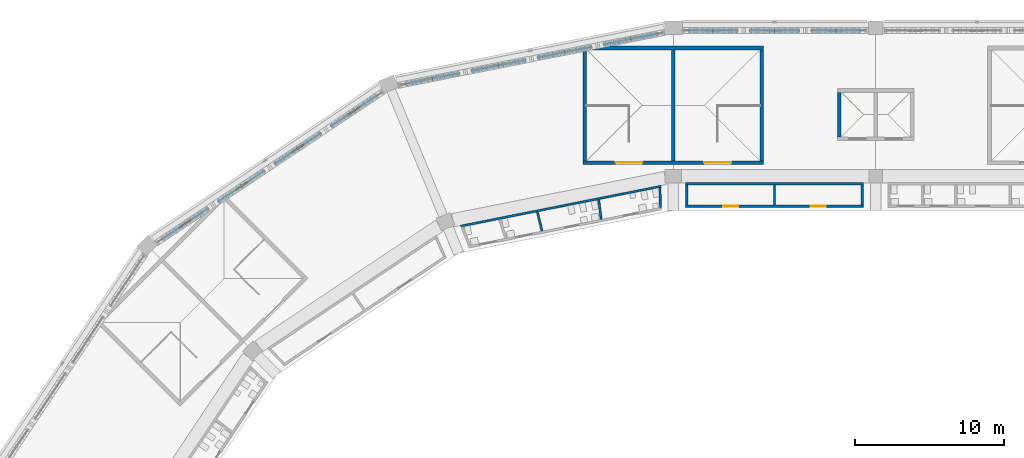
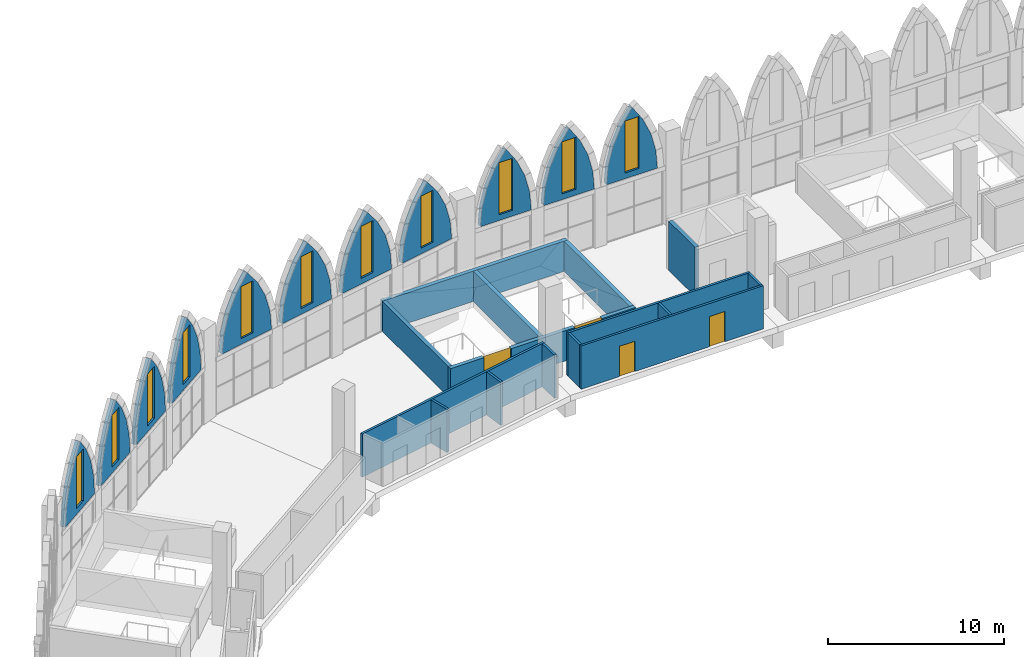
# One storey, part 81 of 130: 26 walls, 11 windows, 4 doors, 15 openings.
"""IFC4 building model written with IfcOpenShell, lengths in metres."""

from ifc_helpers import new_model, si_unit, direction, frame, frame_2d, origin, place, context, subcontext, project, spatial, polyline, rectangle, outline, extrude, material, layer, layer_set, type_object, element, fill, save


model = new_model("IFC4")

# Units and contexts
model_context = context("Model", 3, precision=1e-05, world=origin(), true_north=direction((0.0, 1.0)))
body_context = subcontext(model_context, "Body", "Model", "MODEL_VIEW")
ifc_project = project(units=[si_unit("LENGTHUNIT", "METRE"), si_unit("AREAUNIT", "SQUARE_METRE"), si_unit("VOLUMEUNIT", "CUBIC_METRE"), si_unit("PLANEANGLEUNIT", "RADIAN"), si_unit("MASSUNIT", "GRAM", prefix="KILO")], contexts=[model_context])

# Site, building, storey
site_placement = place(None, origin())
site = spatial("IfcSite", under=ifc_project, at=site_placement, CompositionType="ELEMENT")
building_placement = place(site_placement, origin())
building = spatial("IfcBuilding", under=site, at=building_placement, Name="Ogive Plaza Stadium", CompositionType="ELEMENT")
storey_placement = place(building_placement, frame((0.0, 0.0, 22.5)))
storey = spatial("IfcBuildingStorey", under=building, at=storey_placement, Name="L05", CompositionType="ELEMENT", Elevation=22.5)

# Wall, openings, doors
ifc_material_1 = material(Name="Masonry blockwork", Category="masonry")
ifc_layer_1 = layer(ifc_material_1, 0.14990234375)
ifc_layer_set_1 = layer_set([ifc_layer_1], Name="Blockwork wall 150")
wall_type_1 = type_object("IfcWallType", Name="Blockwork wall 150", PredefinedType="SOLIDWALL", material=ifc_layer_set_1)
wall_1_placement = place(storey_placement, frame((-33.175048828125, 90.5, 0.0), z_axis=(0.0, 0.0, 1.0), x_axis=(1.0, 0.0, 0.0)))
wall_1 = element("IfcWall", 1, at=wall_1_placement, inside=storey, type_object=wall_type_1, Name="Wall L05 B32", PredefinedType="SOLIDWALL", context=body_context, shape_type="SweptSolid", body=[
    extrude(rectangle(XDim=11.949951171875, YDim=0.14990234375, at=frame_2d((5.97509765625, 0.0))), origin(), (0.0, 0.0, 1.0), 3.0),
])
opening_1_placement = place(wall_1_placement, frame((2.52490234375, 0.0, 0.0)))
opening_1 = element("IfcOpeningElement", 2, at=opening_1_placement, cuts=wall_1, Name="Opening D1011", PredefinedType="OPENING", context=body_context, shape_type="SweptSolid", body=[
    extrude(rectangle(XDim=1.0, YDim=2.10009765625, at=frame_2d((0.5, 1.050048828125))), frame((0.0, 0.074951171875, 0.0), z_axis=(0.0, -1.0, 0.0), x_axis=(1.0, 0.0, 0.0)), (0.0, 0.0, 1.0), 0.14990234375),
])
opening_2_placement = place(wall_1_placement, frame((8.425048828125, 0.0, 0.0)))
opening_2 = element("IfcOpeningElement", 3, at=opening_2_placement, cuts=wall_1, Name="Opening D1012", PredefinedType="OPENING", context=body_context, shape_type="SweptSolid", body=[
    extrude(rectangle(XDim=1.0, YDim=2.10009765625, at=frame_2d((0.5, 1.050048828125))), frame((0.0, 0.074951171875, 0.0), z_axis=(0.0, -1.0, 0.0), x_axis=(1.0, 0.0, 0.0)), (0.0, 0.0, 1.0), 0.14990234375),
])
ifc_material_2 = material(Name="Steel ASTM A572 Grade 50", Category="steel")
door_type_1 = type_object("IfcDoorType", Name="Door 1000 x 2100", OperationType="SINGLE_SWING_LEFT", PredefinedType="DOOR", material=ifc_material_2)
door_1_placement = place(opening_1_placement, origin())
door_1 = element("IfcDoor", 4, at=door_1_placement, inside=storey, type_object=door_type_1, Name="Concession Stand B32 door", OperationType="SINGLE_SWING_LEFT", OverallHeight=2.10009765625, OverallWidth=1.0, PredefinedType="DOOR", context=body_context, shape_type="SweptSolid", body=[
    extrude(rectangle(XDim=1.0, YDim=2.10009765625, at=frame_2d((0.5, 1.050048828125))), frame((0.0, 0.02490234375, 0.0), z_axis=(0.0, -1.0, 0.0), x_axis=(1.0, 0.0, 0.0)), (0.0, 0.0, 1.0), 0.050048828125),
])
fill(opening_1, door_1)
door_2_placement = place(opening_2_placement, origin())
door_2 = element("IfcDoor", 5, at=door_2_placement, inside=storey, type_object=door_type_1, Name="Concession Stand B32 door", OperationType="SINGLE_SWING_RIGHT", OverallHeight=2.10009765625, OverallWidth=1.0, PredefinedType="DOOR", context=body_context, shape_type="SweptSolid", body=[
    extrude(rectangle(XDim=1.0, YDim=2.10009765625, at=frame_2d((0.5, 1.050048828125))), frame((0.0, 0.02490234375, 0.0), z_axis=(0.0, -1.0, 0.0), x_axis=(1.0, 0.0, 0.0)), (0.0, 0.0, 1.0), 0.050048828125),
])
fill(opening_2, door_2)

# Walls
wall_2_placement = place(storey_placement, frame((-33.175048828125, 92.0, 0.0), z_axis=(0.0, 0.0, 1.0), x_axis=(1.0, 0.0, 0.0)))
element("IfcWall", 6, at=wall_2_placement, inside=storey, type_object=wall_type_1, Name="Wall L05 B32", PredefinedType="SOLIDWALL", context=body_context, shape_type="SweptSolid", body=[
    extrude(rectangle(XDim=11.949951171875, YDim=0.14990234375, at=frame_2d((5.97509765625, 0.0))), origin(), (0.0, 0.0, 1.0), 3.0),
])
for number, where, z_axis, x_axis, name in (
    (7, (-33.10009765625, 90.574951171875, 0.0), (0.0, 0.0, 1.0), (0.0, 1.0, 0.0), "Wall L05 B32"),
    (8, (-27.199951171875, 90.574951171875, 0.0), (0.0, 0.0, 1.0), (0.0, 1.0, 0.0), "Wall L05 B32"),
    (9, (-21.300048828125, 90.574951171875, 0.0), (0.0, 0.0, 1.0), (0.0, 1.0, 0.0), "Wall L05 B32"),
):
    element("IfcWall", number, at=place(storey_placement, frame(where, z_axis=z_axis, x_axis=x_axis)), inside=storey, type_object=wall_type_1, Name=name, PredefinedType="SOLIDWALL", context=body_context, shape_type="SweptSolid", body=[
        extrude(rectangle(XDim=1.35009765625, YDim=0.14990234375, at=frame_2d((0.675048828125, 0.0))), origin(), (0.0, 0.0, 1.0), 3.0),
    ])

# Wall, openings, doors
ifc_material_3 = material(Name="Concrete C40/50", Category="concrete")
ifc_layer_2 = layer(ifc_material_3, 0.25)
ifc_layer_set_2 = layer_set([ifc_layer_2], Name="Concrete C40/50")
wall_type_2 = type_object("IfcWallType", Name="Core wall 250", PredefinedType="SHEAR", material=ifc_layer_set_2)
wall_3_placement = place(storey_placement, frame((-27.925048828125, 93.425048828125, 0.0), z_axis=(0.0, 0.0, 1.0), x_axis=(-1.0, 0.0, 0.0)))
wall_3 = element("IfcWall", 10, at=wall_3_placement, inside=storey, type_object=wall_type_2, Name="Stair core R32 inner wall", PredefinedType="SHEAR", context=body_context, shape_type="SweptSolid", body=[
    extrude(rectangle(XDim=12.14990234375, YDim=0.25, at=frame_2d((6.074951171875, 0.0))), origin(), (0.0, 0.0, 1.0), 2.10009765625),
])
opening_3_placement = place(wall_3_placement, frame((2.199951171875, 0.0, 0.0)))
opening_3 = element("IfcOpeningElement", 11, at=opening_3_placement, cuts=wall_3, Name="Opening D0245", PredefinedType="OPENING", context=body_context, shape_type="SweptSolid", body=[
    extrude(rectangle(XDim=1.800048828125, YDim=2.10009765625, at=frame_2d((0.89990234375, 1.050048828125))), frame((0.0, 0.125, 0.0), z_axis=(0.0, -1.0, 0.0), x_axis=(1.0, 0.0, 0.0)), (0.0, 0.0, 1.0), 0.25),
])
opening_4_placement = place(wall_3_placement, frame((8.14990234375, 0.0, 0.0)))
opening_4 = element("IfcOpeningElement", 12, at=opening_4_placement, cuts=wall_3, Name="Opening D0246", PredefinedType="OPENING", context=body_context, shape_type="SweptSolid", body=[
    extrude(rectangle(XDim=1.800048828125, YDim=2.10009765625, at=frame_2d((0.89990234375, 1.050048828125))), frame((0.0, 0.125, 0.0), z_axis=(0.0, -1.0, 0.0), x_axis=(1.0, 0.0, 0.0)), (0.0, 0.0, 1.0), 0.25),
])
ifc_material_4 = material(Name="Steel ASTM A572 Grade 50", Category="steel")
door_type_2 = type_object("IfcDoorType", Name="Fire door FD90 pair 1800 x 2100", OperationType="DOUBLE_DOOR_SINGLE_SWING", PredefinedType="DOOR", material=ifc_material_4)
door_3_placement = place(opening_3_placement, origin())
door_3 = element("IfcDoor", 13, at=door_3_placement, inside=storey, type_object=door_type_2, Name="Exit stair R32A door L05", OperationType="DOUBLE_DOOR_SINGLE_SWING", OverallHeight=2.10009765625, OverallWidth=1.800048828125, PredefinedType="DOOR", context=body_context, shape_type="SweptSolid", body=[
    extrude(rectangle(XDim=1.800048828125, YDim=2.10009765625, at=frame_2d((0.89990234375, 1.050048828125))), frame((0.0, 0.02490234375, 0.0), z_axis=(0.0, -1.0, 0.0), x_axis=(1.0, 0.0, 0.0)), (0.0, 0.0, 1.0), 0.050048828125),
])
fill(opening_3, door_3)
door_4_placement = place(opening_4_placement, origin())
door_4 = element("IfcDoor", 14, at=door_4_placement, inside=storey, type_object=door_type_2, Name="Exit stair R32B door L05", OperationType="DOUBLE_DOOR_SINGLE_SWING", OverallHeight=2.10009765625, OverallWidth=1.800048828125, PredefinedType="DOOR", context=body_context, shape_type="SweptSolid", body=[
    extrude(rectangle(XDim=1.800048828125, YDim=2.10009765625, at=frame_2d((0.89990234375, 1.050048828125))), frame((0.0, 0.02490234375, 0.0), z_axis=(0.0, -1.0, 0.0), x_axis=(1.0, 0.0, 0.0)), (0.0, 0.0, 1.0), 0.050048828125),
])
fill(opening_4, door_4)

# Walls
wall_4_placement = place(storey_placement, frame((-27.925048828125, 101.135009765625, 0.0), z_axis=(0.0, 0.0, 1.0), x_axis=(-1.0, 0.0, 0.0)))
element("IfcWall", 15, at=wall_4_placement, inside=storey, type_object=wall_type_2, Name="Stair core R32 outer wall", PredefinedType="SHEAR", context=body_context, shape_type="SweptSolid", body=[
    extrude(rectangle(XDim=12.14990234375, YDim=0.25, at=frame_2d((6.074951171875, 0.0))), origin(), (0.0, 0.0, 1.0), 2.10009765625),
])
for number, where, z_axis, x_axis, name in (
    (16, (-28.050048828125, 93.550048828125, 0.0), (0.0, 0.0, 1.0), (0.0, 1.0, 0.0), "Stair core R32 side wall"),
    (17, (-39.949951171875, 93.550048828125, 0.0), (0.0, 0.0, 1.0), (0.0, 1.0, 0.0), "Stair core R32 side wall"),
    (18, (-34.0, 93.550048828125, 0.0), (0.0, 0.0, 1.0), (0.0, 1.0, 0.0), "Stair core R32 centre wall"),
):
    element("IfcWall", number, at=place(storey_placement, frame(where, z_axis=z_axis, x_axis=x_axis)), inside=storey, type_object=wall_type_2, Name=name, PredefinedType="SHEAR", context=body_context, shape_type="SweptSolid", body=[
        extrude(rectangle(XDim=7.4599609375, YDim=0.25, at=frame_2d((3.72998046875, 0.0))), origin(), (0.0, 0.0, 1.0), 2.10009765625),
    ])
ifc_material_5 = material(Name="Concrete C40/50", Category="concrete")
ifc_layer_3 = layer(ifc_material_5, 0.25)
ifc_layer_set_3 = layer_set([ifc_layer_3], Name="Concrete C40/50")
wall_type_3 = type_object("IfcWallType", Name="Core wall 250 A", PredefinedType="SHEAR", material=ifc_layer_set_3)
wall_5_placement = place(storey_placement, frame((-22.85009765625, 95.14990234375, 0.0), z_axis=(0.0, 0.0, 1.0), x_axis=(0.0, 1.0, 0.0)))
element("IfcWall", 19, at=wall_5_placement, inside=storey, type_object=wall_type_3, Name="Lift core LP33 side wall", PredefinedType="SHEAR", context=body_context, shape_type="SweptSolid", body=[
    extrude(rectangle(XDim=3.0, YDim=0.25, at=frame_2d((1.5, 0.0))), origin(), (0.0, 0.0, 1.0), 3.39990234375),
])
ifc_material_6 = material(Name="Gypsum board partition", Category="gypsum")
ifc_layer_4 = layer(ifc_material_6, 0.14990234375)
ifc_layer_set_4 = layer_set([ifc_layer_4], Name="Partition 150")
wall_type_4 = type_object("IfcWallType", Name="Partition 150", PredefinedType="PARTITIONING", material=ifc_layer_set_4)
wall_6_placement = place(storey_placement, frame((-34.82470703125, 91.8359375, 0.0), z_axis=(0.0, 0.0, 1.0), x_axis=(-0.980784624689, -0.195093618486, 0.0)))
element("IfcWall", 20, at=wall_6_placement, inside=storey, type_object=wall_type_4, Name="Wall L05 B31", PredefinedType="PARTITIONING", context=body_context, shape_type="SweptSolid", body=[
    extrude(rectangle(XDim=13.73046875, YDim=0.14990234375, at=frame_2d((6.865234375, 0.0))), origin(), (0.0, 0.0, 1.0), 3.0),
])
wall_7_placement = place(storey_placement, frame((-34.867431640625, 90.402587890625, 0.0), z_axis=(0.0, 0.0, 1.0), x_axis=(-0.022886445666, 0.999738070999, 0.0)))
element("IfcWall", 21, at=wall_7_placement, inside=storey, type_object=wall_type_4, Name="Wall L05 B31", PredefinedType="PARTITIONING", context=body_context, shape_type="SweptSolid", body=[
    extrude(rectangle(XDim=1.343994140625, YDim=0.14990234375, at=frame_2d((0.671875, 0.0))), origin(), (0.0, 0.0, 1.0), 3.0),
])
wall_8_placement = place(storey_placement, frame((-38.846435546875, 89.611083984375, 0.0), z_axis=(0.0, 0.0, 1.0), x_axis=(-0.12953583555, 0.991574741161, 0.0)))
element("IfcWall", 22, at=wall_8_placement, inside=storey, type_object=wall_type_4, Name="Wall L05 B31", PredefinedType="PARTITIONING", context=body_context, shape_type="SweptSolid", body=[
    extrude(rectangle(XDim=1.326904296875, YDim=0.14990234375, at=frame_2d((0.66357421875, 0.0))), origin(), (0.0, 0.0, 1.0), 3.0),
])
wall_9_placement = place(storey_placement, frame((-42.82568359375, 88.819580078125, 0.0), z_axis=(0.0, 0.0, 1.0), x_axis=(-0.236201131353, 0.971704186236, 0.0)))
element("IfcWall", 23, at=wall_9_placement, inside=storey, type_object=wall_type_4, Name="Wall L05 B31", PredefinedType="PARTITIONING", context=body_context, shape_type="SweptSolid", body=[
    extrude(rectangle(XDim=1.3251953125, YDim=0.14990234375, at=frame_2d((0.66259765625, 0.0))), origin(), (0.0, 0.0, 1.0), 3.0),
])

# Wall, opening, window
ifc_material_7 = material(Name="Concrete C45/55 precast", Category="concrete")
ifc_layer_5 = layer(ifc_material_7, 0.25)
ifc_material_8 = material(Name="Cast stone (reconstituted limestone)", Category="masonry")
ifc_layer_6 = layer(ifc_material_8, 0.050048828125)
ifc_layer_set_5 = layer_set([ifc_layer_5, ifc_layer_6], Name="Concrete C45/55 precast, cast stone facing")
wall_type_5 = type_object("IfcWallType", Name="Tympanum wall 300", PredefinedType="SOLIDWALL", material=ifc_layer_set_5)
wall_10_placement = place(storey_placement, frame((-68.379150390625, 88.26708984375, 4.10009765625), z_axis=(0.0, 0.0, 1.0), x_axis=(0.831479988906, 0.555554703021, 0.0)))
wall_10 = element("IfcWall", 24, at=wall_10_placement, inside=storey, type_object=wall_type_5, Name="TYMPANUM B30 1", PredefinedType="SOLIDWALL", context=body_context, shape_type="SweptSolid", body=[
    extrude(outline(polyline([(0.0, 0.0), (3.7568359375, 0.0), (3.757080078125, 0.0498046875), (3.634521484375, 1.311279296875), (3.270751953125, 2.5771484375), (2.678466796875, 3.753662109375), (1.878662109375, 4.7998046875), (1.07861328125, 3.753662109375), (0.486328125, 2.5771484375), (0.12255859375, 1.311279296875), (0.0, 0.0498046875), (0.0, 0.0)])), frame((0.0, 0.14990234375, 0.0), z_axis=(0.0, -1.0, 0.0), x_axis=(1.0, 0.0, 0.0)), (0.0, 0.0, 1.0), 0.300048828125),
])
opening_5_placement = place(wall_10_placement, frame((1.428466796875, 0.0, 0.39990234375)))
opening_5 = element("IfcOpeningElement", 25, at=opening_5_placement, cuts=wall_10, Name="Opening W-30-1", PredefinedType="OPENING", context=body_context, shape_type="SweptSolid", body=[
    extrude(rectangle(XDim=0.89990234375, YDim=3.60009765625, at=frame_2d((0.449951171875, 1.800048828125))), frame((0.0, 0.16015625, 0.0), z_axis=(0.0, -1.0, 0.0), x_axis=(1.0, 0.0, 0.0)), (0.0, 0.0, 1.0), 0.320068359375),
])
ifc_material_9 = material(Name="Bronze-anodised aluminium and laminated glass", Category="aluminium")
window_type = type_object("IfcWindowType", Name="Lancet window 900 x 3600", PartitioningType="SINGLE_PANEL", PredefinedType="WINDOW", material=ifc_material_9)
window_1_placement = place(opening_5_placement, origin())
window_1 = element("IfcWindow", 26, at=window_1_placement, inside=storey, type_object=window_type, Name="LANCET WINDOW B30 1", OverallHeight=3.60009765625, OverallWidth=0.89990234375, PartitioningType="SINGLE_PANEL", PredefinedType="WINDOW", context=body_context, shape_type="SweptSolid", body=[
    extrude(rectangle(XDim=0.89990234375, YDim=3.60009765625, at=frame_2d((0.449951171875, 1.800048828125))), frame((0.0, 0.030029296875, 0.0), z_axis=(0.0, -1.0, 0.0), x_axis=(1.0, 0.0, 0.0)), (0.0, 0.0, 1.0), 0.06005859375),
])
fill(opening_5, window_1)

wall_11_placement = place(storey_placement, frame((-64.590087890625, 90.798828125, 4.10009765625), z_axis=(0.0, 0.0, 1.0), x_axis=(0.831449970196, 0.555599628384, 0.0)))
wall_11 = element("IfcWall", 27, at=wall_11_placement, inside=storey, type_object=wall_type_5, Name="TYMPANUM B30 2", PredefinedType="SOLIDWALL", context=body_context, shape_type="SweptSolid", body=[
    extrude(outline(polyline([(0.0, 0.0), (3.757080078125, 0.0), (3.757080078125, 0.0498046875), (3.634521484375, 1.311279296875), (3.270751953125, 2.5771484375), (2.678466796875, 3.753662109375), (1.878662109375, 4.7998046875), (1.07861328125, 3.753662109375), (0.486328125, 2.5771484375), (0.12255859375, 1.311279296875), (0.0, 0.0498046875), (0.0, 0.0)])), frame((0.0, 0.14990234375, 0.0), z_axis=(0.0, -1.0, 0.0), x_axis=(1.0, 0.0, 0.0)), (0.0, 0.0, 1.0), 0.300048828125),
])
opening_6_placement = place(wall_11_placement, frame((1.428466796875, 0.0, 0.39990234375)))
opening_6 = element("IfcOpeningElement", 28, at=opening_6_placement, cuts=wall_11, Name="Opening W-30-2", PredefinedType="OPENING", context=body_context, shape_type="SweptSolid", body=[
    extrude(rectangle(XDim=0.89990234375, YDim=3.60009765625, at=frame_2d((0.449951171875, 1.800048828125))), frame((0.0, 0.16015625, 0.0), z_axis=(0.0, -1.0, 0.0), x_axis=(1.0, 0.0, 0.0)), (0.0, 0.0, 1.0), 0.320068359375),
])
window_2_placement = place(opening_6_placement, origin())
window_2 = element("IfcWindow", 29, at=window_2_placement, inside=storey, type_object=window_type, Name="LANCET WINDOW B30 2", OverallHeight=3.60009765625, OverallWidth=0.89990234375, PartitioningType="SINGLE_PANEL", PredefinedType="WINDOW", context=body_context, shape_type="SweptSolid", body=[
    extrude(rectangle(XDim=0.89990234375, YDim=3.60009765625, at=frame_2d((0.449951171875, 1.800048828125))), frame((0.0, 0.030029296875, 0.0), z_axis=(0.0, -1.0, 0.0), x_axis=(1.0, 0.0, 0.0)), (0.0, 0.0, 1.0), 0.06005859375),
])
fill(opening_6, window_2)

wall_12_placement = place(storey_placement, frame((-60.801025390625, 93.33056640625, 4.10009765625), z_axis=(0.0, 0.0, 1.0), x_axis=(0.831449970196, 0.555599628384, 0.0)))
wall_12 = element("IfcWall", 30, at=wall_12_placement, inside=storey, type_object=wall_type_5, Name="TYMPANUM B30 3", PredefinedType="SOLIDWALL", context=body_context, shape_type="SweptSolid", body=[
    extrude(outline(polyline([(0.0, 0.0), (3.757080078125, 0.0), (3.757080078125, 0.0498046875), (3.634521484375, 1.311279296875), (3.270751953125, 2.5771484375), (2.678466796875, 3.753662109375), (1.878662109375, 4.7998046875), (1.07861328125, 3.753662109375), (0.486328125, 2.5771484375), (0.12255859375, 1.311279296875), (0.0, 0.0498046875), (0.0, 0.0)])), frame((0.0, 0.14990234375, 0.0), z_axis=(0.0, -1.0, 0.0), x_axis=(1.0, 0.0, 0.0)), (0.0, 0.0, 1.0), 0.300048828125),
])
opening_7_placement = place(wall_12_placement, frame((1.428466796875, 0.0, 0.39990234375)))
opening_7 = element("IfcOpeningElement", 31, at=opening_7_placement, cuts=wall_12, Name="Opening W-30-3", PredefinedType="OPENING", context=body_context, shape_type="SweptSolid", body=[
    extrude(rectangle(XDim=0.89990234375, YDim=3.60009765625, at=frame_2d((0.449951171875, 1.800048828125))), frame((0.0, 0.16015625, 0.0), z_axis=(0.0, -1.0, 0.0), x_axis=(1.0, 0.0, 0.0)), (0.0, 0.0, 1.0), 0.320068359375),
])
window_3_placement = place(opening_7_placement, origin())
window_3 = element("IfcWindow", 32, at=window_3_placement, inside=storey, type_object=window_type, Name="LANCET WINDOW B30 3", OverallHeight=3.60009765625, OverallWidth=0.89990234375, PartitioningType="SINGLE_PANEL", PredefinedType="WINDOW", context=body_context, shape_type="SweptSolid", body=[
    extrude(rectangle(XDim=0.89990234375, YDim=3.60009765625, at=frame_2d((0.449951171875, 1.800048828125))), frame((0.0, 0.030029296875, 0.0), z_axis=(0.0, -1.0, 0.0), x_axis=(1.0, 0.0, 0.0)), (0.0, 0.0, 1.0), 0.06005859375),
])
fill(opening_7, window_3)

wall_13_placement = place(storey_placement, frame((-57.011962890625, 95.8623046875, 4.10009765625), z_axis=(0.0, 0.0, 1.0), x_axis=(0.831449970196, 0.555599628384, 0.0)))
wall_13 = element("IfcWall", 33, at=wall_13_placement, inside=storey, type_object=wall_type_5, Name="TYMPANUM B30 4", PredefinedType="SOLIDWALL", context=body_context, shape_type="SweptSolid", body=[
    extrude(outline(polyline([(0.0, 0.0), (3.757080078125, 0.0), (3.757080078125, 0.0498046875), (3.634521484375, 1.311279296875), (3.270751953125, 2.5771484375), (2.678466796875, 3.753662109375), (1.878662109375, 4.7998046875), (1.07861328125, 3.753662109375), (0.486328125, 2.5771484375), (0.12255859375, 1.311279296875), (0.0, 0.0498046875), (0.0, 0.0)])), frame((0.0, 0.14990234375, 0.0), z_axis=(0.0, -1.0, 0.0), x_axis=(1.0, 0.0, 0.0)), (0.0, 0.0, 1.0), 0.300048828125),
])
opening_8_placement = place(wall_13_placement, frame((1.428466796875, 0.0, 0.39990234375)))
opening_8 = element("IfcOpeningElement", 34, at=opening_8_placement, cuts=wall_13, Name="Opening W-30-4", PredefinedType="OPENING", context=body_context, shape_type="SweptSolid", body=[
    extrude(rectangle(XDim=0.89990234375, YDim=3.60009765625, at=frame_2d((0.449951171875, 1.800048828125))), frame((0.0, 0.16015625, 0.0), z_axis=(0.0, -1.0, 0.0), x_axis=(1.0, 0.0, 0.0)), (0.0, 0.0, 1.0), 0.320068359375),
])
window_4_placement = place(opening_8_placement, origin())
window_4 = element("IfcWindow", 35, at=window_4_placement, inside=storey, type_object=window_type, Name="LANCET WINDOW B30 4", OverallHeight=3.60009765625, OverallWidth=0.89990234375, PartitioningType="SINGLE_PANEL", PredefinedType="WINDOW", context=body_context, shape_type="SweptSolid", body=[
    extrude(rectangle(XDim=0.89990234375, YDim=3.60009765625, at=frame_2d((0.449951171875, 1.800048828125))), frame((0.0, 0.030029296875, 0.0), z_axis=(0.0, -1.0, 0.0), x_axis=(1.0, 0.0, 0.0)), (0.0, 0.0, 1.0), 0.06005859375),
])
fill(opening_8, window_4)

wall_14_placement = place(storey_placement, frame((-52.02490234375, 98.710693359375, 4.10009765625), z_axis=(0.0, 0.0, 1.0), x_axis=(0.980783969686, 0.19509691132, 0.0)))
wall_14 = element("IfcWall", 36, at=wall_14_placement, inside=storey, type_object=wall_type_5, Name="TYMPANUM B31 1", PredefinedType="SOLIDWALL", context=body_context, shape_type="SweptSolid", body=[
    extrude(outline(polyline([(0.0, 0.0), (3.731689453125, 0.0), (3.731689453125, 0.0498046875), (3.60986328125, 1.309814453125), (3.248779296875, 2.574951171875), (2.66064453125, 3.751708984375), (1.86572265625, 4.7998046875), (1.07080078125, 3.751708984375), (0.48291015625, 2.574951171875), (0.121826171875, 1.309814453125), (0.0, 0.0498046875), (0.0, 0.0)])), frame((0.0, 0.14990234375, 0.0), z_axis=(0.0, -1.0, 0.0), x_axis=(1.0, 0.0, 0.0)), (0.0, 0.0, 1.0), 0.300048828125),
])
opening_9_placement = place(wall_14_placement, frame((1.415771484375, 0.0, 0.39990234375)))
opening_9 = element("IfcOpeningElement", 37, at=opening_9_placement, cuts=wall_14, Name="Opening W-31-1", PredefinedType="OPENING", context=body_context, shape_type="SweptSolid", body=[
    extrude(rectangle(XDim=0.89990234375, YDim=3.60009765625, at=frame_2d((0.449951171875, 1.800048828125))), frame((0.0, 0.16015625, 0.0), z_axis=(0.0, -1.0, 0.0), x_axis=(1.0, 0.0, 0.0)), (0.0, 0.0, 1.0), 0.320068359375),
])
window_5_placement = place(opening_9_placement, origin())
window_5 = element("IfcWindow", 38, at=window_5_placement, inside=storey, type_object=window_type, Name="LANCET WINDOW B31 1", OverallHeight=3.60009765625, OverallWidth=0.89990234375, PartitioningType="SINGLE_PANEL", PredefinedType="WINDOW", context=body_context, shape_type="SweptSolid", body=[
    extrude(rectangle(XDim=0.89990234375, YDim=3.60009765625, at=frame_2d((0.449951171875, 1.800048828125))), frame((0.0, 0.030029296875, 0.0), z_axis=(0.0, -1.0, 0.0), x_axis=(1.0, 0.0, 0.0)), (0.0, 0.0, 1.0), 0.06005859375),
])
fill(opening_9, window_5)

wall_15_placement = place(storey_placement, frame((-47.580322265625, 99.5947265625, 4.10009765625), z_axis=(0.0, 0.0, 1.0), x_axis=(0.980783969686, 0.19509691132, 0.0)))
wall_15 = element("IfcWall", 39, at=wall_15_placement, inside=storey, type_object=wall_type_5, Name="TYMPANUM B31 2", PredefinedType="SOLIDWALL", context=body_context, shape_type="SweptSolid", body=[
    extrude(outline(polyline([(0.0, 0.0), (3.731689453125, 0.0), (3.731689453125, 0.0498046875), (3.60986328125, 1.309814453125), (3.248779296875, 2.574951171875), (2.66064453125, 3.751708984375), (1.86572265625, 4.7998046875), (1.07080078125, 3.751708984375), (0.48291015625, 2.574951171875), (0.121826171875, 1.309814453125), (0.0, 0.0498046875), (0.0, 0.0)])), frame((0.0, 0.14990234375, 0.0), z_axis=(0.0, -1.0, 0.0), x_axis=(1.0, 0.0, 0.0)), (0.0, 0.0, 1.0), 0.300048828125),
])
opening_10_placement = place(wall_15_placement, frame((1.415771484375, 0.0, 0.39990234375)))
opening_10 = element("IfcOpeningElement", 40, at=opening_10_placement, cuts=wall_15, Name="Opening W-31-2", PredefinedType="OPENING", context=body_context, shape_type="SweptSolid", body=[
    extrude(rectangle(XDim=0.89990234375, YDim=3.60009765625, at=frame_2d((0.449951171875, 1.800048828125))), frame((0.0, 0.16015625, 0.0), z_axis=(0.0, -1.0, 0.0), x_axis=(1.0, 0.0, 0.0)), (0.0, 0.0, 1.0), 0.320068359375),
])
window_6_placement = place(opening_10_placement, origin())
window_6 = element("IfcWindow", 41, at=window_6_placement, inside=storey, type_object=window_type, Name="LANCET WINDOW B31 2", OverallHeight=3.60009765625, OverallWidth=0.89990234375, PartitioningType="SINGLE_PANEL", PredefinedType="WINDOW", context=body_context, shape_type="SweptSolid", body=[
    extrude(rectangle(XDim=0.89990234375, YDim=3.60009765625, at=frame_2d((0.449951171875, 1.800048828125))), frame((0.0, 0.030029296875, 0.0), z_axis=(0.0, -1.0, 0.0), x_axis=(1.0, 0.0, 0.0)), (0.0, 0.0, 1.0), 0.06005859375),
])
fill(opening_10, window_6)

wall_16_placement = place(storey_placement, frame((-43.1357421875, 100.478759765625, 4.10009765625), z_axis=(0.0, 0.0, 1.0), x_axis=(0.980783969686, 0.19509691132, 0.0)))
wall_16 = element("IfcWall", 42, at=wall_16_placement, inside=storey, type_object=wall_type_5, Name="TYMPANUM B31 3", PredefinedType="SOLIDWALL", context=body_context, shape_type="SweptSolid", body=[
    extrude(outline(polyline([(0.0, 0.0), (3.731689453125, 0.0), (3.731689453125, 0.0498046875), (3.60986328125, 1.309814453125), (3.248779296875, 2.574951171875), (2.66064453125, 3.751708984375), (1.86572265625, 4.7998046875), (1.07080078125, 3.751708984375), (0.48291015625, 2.574951171875), (0.121826171875, 1.309814453125), (0.0, 0.0498046875), (0.0, 0.0)])), frame((0.0, 0.14990234375, 0.0), z_axis=(0.0, -1.0, 0.0), x_axis=(1.0, 0.0, 0.0)), (0.0, 0.0, 1.0), 0.300048828125),
])
opening_11_placement = place(wall_16_placement, frame((1.415771484375, 0.0, 0.39990234375)))
opening_11 = element("IfcOpeningElement", 43, at=opening_11_placement, cuts=wall_16, Name="Opening W-31-3", PredefinedType="OPENING", context=body_context, shape_type="SweptSolid", body=[
    extrude(rectangle(XDim=0.89990234375, YDim=3.60009765625, at=frame_2d((0.449951171875, 1.800048828125))), frame((0.0, 0.16015625, 0.0), z_axis=(0.0, -1.0, 0.0), x_axis=(1.0, 0.0, 0.0)), (0.0, 0.0, 1.0), 0.320068359375),
])
window_7_placement = place(opening_11_placement, origin())
window_7 = element("IfcWindow", 44, at=window_7_placement, inside=storey, type_object=window_type, Name="LANCET WINDOW B31 3", OverallHeight=3.60009765625, OverallWidth=0.89990234375, PartitioningType="SINGLE_PANEL", PredefinedType="WINDOW", context=body_context, shape_type="SweptSolid", body=[
    extrude(rectangle(XDim=0.89990234375, YDim=3.60009765625, at=frame_2d((0.449951171875, 1.800048828125))), frame((0.0, 0.030029296875, 0.0), z_axis=(0.0, -1.0, 0.0), x_axis=(1.0, 0.0, 0.0)), (0.0, 0.0, 1.0), 0.06005859375),
])
fill(opening_11, window_7)

wall_17_placement = place(storey_placement, frame((-38.691162109375, 101.363037109375, 4.10009765625), z_axis=(0.0, 0.0, 1.0), x_axis=(0.980796486736, 0.195033975516, 0.0)))
wall_17 = element("IfcWall", 45, at=wall_17_placement, inside=storey, type_object=wall_type_5, Name="TYMPANUM B31 4", PredefinedType="SOLIDWALL", context=body_context, shape_type="SweptSolid", body=[
    extrude(outline(polyline([(0.0, 0.0), (3.731689453125, 0.0), (3.731689453125, 0.0498046875), (3.60986328125, 1.309814453125), (3.248779296875, 2.574951171875), (2.66064453125, 3.751708984375), (1.86572265625, 4.7998046875), (1.07080078125, 3.751708984375), (0.48291015625, 2.574951171875), (0.121826171875, 1.309814453125), (0.0, 0.0498046875), (0.0, 0.0)])), frame((0.0, 0.14990234375, 0.0), z_axis=(0.0, -1.0, 0.0), x_axis=(1.0, 0.0, 0.0)), (0.0, 0.0, 1.0), 0.300048828125),
])
opening_12_placement = place(wall_17_placement, frame((1.415771484375, 0.0, 0.39990234375)))
opening_12 = element("IfcOpeningElement", 46, at=opening_12_placement, cuts=wall_17, Name="Opening W-31-4", PredefinedType="OPENING", context=body_context, shape_type="SweptSolid", body=[
    extrude(rectangle(XDim=0.89990234375, YDim=3.60009765625, at=frame_2d((0.449951171875, 1.800048828125))), frame((0.0, 0.16015625, 0.0), z_axis=(0.0, -1.0, 0.0), x_axis=(1.0, 0.0, 0.0)), (0.0, 0.0, 1.0), 0.320068359375),
])
window_8_placement = place(opening_12_placement, origin())
window_8 = element("IfcWindow", 47, at=window_8_placement, inside=storey, type_object=window_type, Name="LANCET WINDOW B31 4", OverallHeight=3.60009765625, OverallWidth=0.89990234375, PartitioningType="SINGLE_PANEL", PredefinedType="WINDOW", context=body_context, shape_type="SweptSolid", body=[
    extrude(rectangle(XDim=0.89990234375, YDim=3.60009765625, at=frame_2d((0.449951171875, 1.800048828125))), frame((0.0, 0.030029296875, 0.0), z_axis=(0.0, -1.0, 0.0), x_axis=(1.0, 0.0, 0.0)), (0.0, 0.0, 1.0), 0.06005859375),
])
fill(opening_12, window_8)

wall_18_placement = place(storey_placement, frame((-33.0, 102.300048828125, 4.10009765625), z_axis=(0.0, 0.0, 1.0), x_axis=(1.0, 0.0, 0.0)))
wall_18 = element("IfcWall", 48, at=wall_18_placement, inside=storey, type_object=wall_type_5, Name="TYMPANUM B32 1", PredefinedType="SOLIDWALL", context=body_context, shape_type="SweptSolid", body=[
    extrude(outline(polyline([(0.0, 0.0), (3.333251953125, 0.0), (3.333251953125, 0.0498046875), (3.225341796875, 1.2880859375), (2.90478515625, 2.54052734375), (2.38037109375, 3.721923828125), (1.666748046875, 4.7998046875), (0.952880859375, 3.721923828125), (0.428466796875, 2.54052734375), (0.10791015625, 1.2880859375), (0.0, 0.0498046875), (0.0, 0.0)])), frame((0.0, 0.14990234375, 0.0), z_axis=(0.0, -1.0, 0.0), x_axis=(1.0, 0.0, 0.0)), (0.0, 0.0, 1.0), 0.300048828125),
])
opening_13_placement = place(wall_18_placement, frame((1.216552734375, 0.0, 0.39990234375)))
opening_13 = element("IfcOpeningElement", 49, at=opening_13_placement, cuts=wall_18, Name="Opening W-32-1", PredefinedType="OPENING", context=body_context, shape_type="SweptSolid", body=[
    extrude(rectangle(XDim=0.89990234375, YDim=3.60009765625, at=frame_2d((0.449951171875, 1.800048828125))), frame((0.0, 0.16015625, 0.0), z_axis=(0.0, -1.0, 0.0), x_axis=(1.0, 0.0, 0.0)), (0.0, 0.0, 1.0), 0.320068359375),
])
window_9_placement = place(opening_13_placement, origin())
window_9 = element("IfcWindow", 50, at=window_9_placement, inside=storey, type_object=window_type, Name="LANCET WINDOW B32 1", OverallHeight=3.60009765625, OverallWidth=0.89990234375, PartitioningType="SINGLE_PANEL", PredefinedType="WINDOW", context=body_context, shape_type="SweptSolid", body=[
    extrude(rectangle(XDim=0.89990234375, YDim=3.60009765625, at=frame_2d((0.449951171875, 1.800048828125))), frame((0.0, 0.030029296875, 0.0), z_axis=(0.0, -1.0, 0.0), x_axis=(1.0, 0.0, 0.0)), (0.0, 0.0, 1.0), 0.06005859375),
])
fill(opening_13, window_9)

wall_19_placement = place(storey_placement, frame((-28.86669921875, 102.300048828125, 4.10009765625), z_axis=(0.0, 0.0, 1.0), x_axis=(1.0, 0.0, 0.0)))
wall_19 = element("IfcWall", 51, at=wall_19_placement, inside=storey, type_object=wall_type_5, Name="TYMPANUM B32 2", PredefinedType="SOLIDWALL", context=body_context, shape_type="SweptSolid", body=[
    extrude(outline(polyline([(0.0, 0.0), (3.333251953125, 0.0), (3.333251953125, 0.0498046875), (3.225341796875, 1.2880859375), (2.90478515625, 2.54052734375), (2.38037109375, 3.721923828125), (1.666748046875, 4.7998046875), (0.952880859375, 3.721923828125), (0.428466796875, 2.54052734375), (0.10791015625, 1.2880859375), (0.0, 0.0498046875), (0.0, 0.0)])), frame((0.0, 0.14990234375, 0.0), z_axis=(0.0, -1.0, 0.0), x_axis=(1.0, 0.0, 0.0)), (0.0, 0.0, 1.0), 0.300048828125),
])
opening_14_placement = place(wall_19_placement, frame((1.216552734375, 0.0, 0.39990234375)))
opening_14 = element("IfcOpeningElement", 52, at=opening_14_placement, cuts=wall_19, Name="Opening W-32-2", PredefinedType="OPENING", context=body_context, shape_type="SweptSolid", body=[
    extrude(rectangle(XDim=0.89990234375, YDim=3.60009765625, at=frame_2d((0.449951171875, 1.800048828125))), frame((0.0, 0.16015625, 0.0), z_axis=(0.0, -1.0, 0.0), x_axis=(1.0, 0.0, 0.0)), (0.0, 0.0, 1.0), 0.320068359375),
])
window_10_placement = place(opening_14_placement, origin())
window_10 = element("IfcWindow", 53, at=window_10_placement, inside=storey, type_object=window_type, Name="LANCET WINDOW B32 2", OverallHeight=3.60009765625, OverallWidth=0.89990234375, PartitioningType="SINGLE_PANEL", PredefinedType="WINDOW", context=body_context, shape_type="SweptSolid", body=[
    extrude(rectangle(XDim=0.89990234375, YDim=3.60009765625, at=frame_2d((0.449951171875, 1.800048828125))), frame((0.0, 0.030029296875, 0.0), z_axis=(0.0, -1.0, 0.0), x_axis=(1.0, 0.0, 0.0)), (0.0, 0.0, 1.0), 0.06005859375),
])
fill(opening_14, window_10)

wall_20_placement = place(storey_placement, frame((-24.7333984375, 102.300048828125, 4.10009765625), z_axis=(0.0, 0.0, 1.0), x_axis=(1.0, 0.0, 0.0)))
wall_20 = element("IfcWall", 54, at=wall_20_placement, inside=storey, type_object=wall_type_5, Name="TYMPANUM B32 3", PredefinedType="SOLIDWALL", context=body_context, shape_type="SweptSolid", body=[
    extrude(outline(polyline([(0.0, 0.0), (3.33349609375, 0.0), (3.333251953125, 0.0498046875), (3.225341796875, 1.2880859375), (2.90478515625, 2.54052734375), (2.38037109375, 3.721923828125), (1.666748046875, 4.7998046875), (0.952880859375, 3.721923828125), (0.428466796875, 2.54052734375), (0.10791015625, 1.2880859375), (0.0, 0.0498046875), (0.0, 0.0)])), frame((0.0, 0.14990234375, 0.0), z_axis=(0.0, -1.0, 0.0), x_axis=(1.0, 0.0, 0.0)), (0.0, 0.0, 1.0), 0.300048828125),
])
opening_15_placement = place(wall_20_placement, frame((1.216552734375, 0.0, 0.39990234375)))
opening_15 = element("IfcOpeningElement", 55, at=opening_15_placement, cuts=wall_20, Name="Opening W-32-3", PredefinedType="OPENING", context=body_context, shape_type="SweptSolid", body=[
    extrude(rectangle(XDim=0.89990234375, YDim=3.60009765625, at=frame_2d((0.449951171875, 1.800048828125))), frame((0.0, 0.16015625, 0.0), z_axis=(0.0, -1.0, 0.0), x_axis=(1.0, 0.0, 0.0)), (0.0, 0.0, 1.0), 0.320068359375),
])
window_11_placement = place(opening_15_placement, origin())
window_11 = element("IfcWindow", 56, at=window_11_placement, inside=storey, type_object=window_type, Name="LANCET WINDOW B32 3", OverallHeight=3.60009765625, OverallWidth=0.89990234375, PartitioningType="SINGLE_PANEL", PredefinedType="WINDOW", context=body_context, shape_type="SweptSolid", body=[
    extrude(rectangle(XDim=0.89990234375, YDim=3.60009765625, at=frame_2d((0.449951171875, 1.800048828125))), frame((0.0, 0.030029296875, 0.0), z_axis=(0.0, -1.0, 0.0), x_axis=(1.0, 0.0, 0.0)), (0.0, 0.0, 1.0), 0.06005859375),
])
fill(opening_15, window_11)

save(model, "model.ifc")
